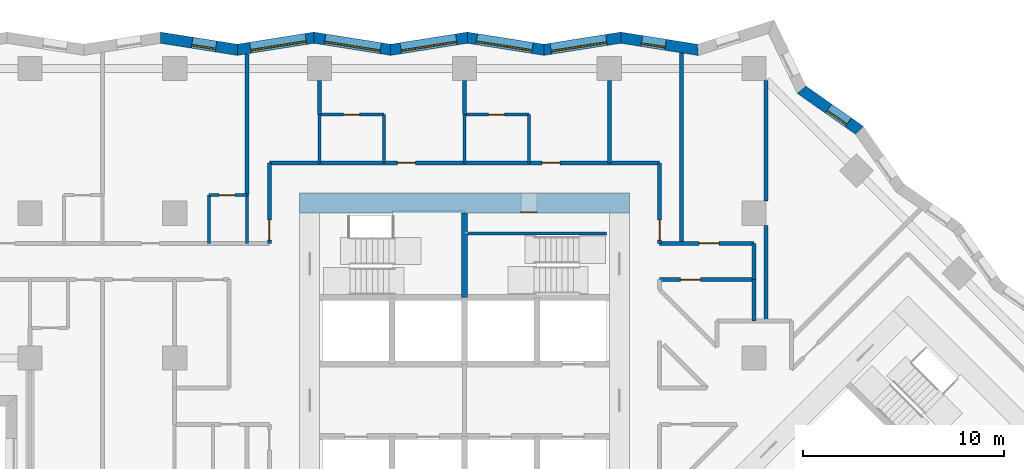
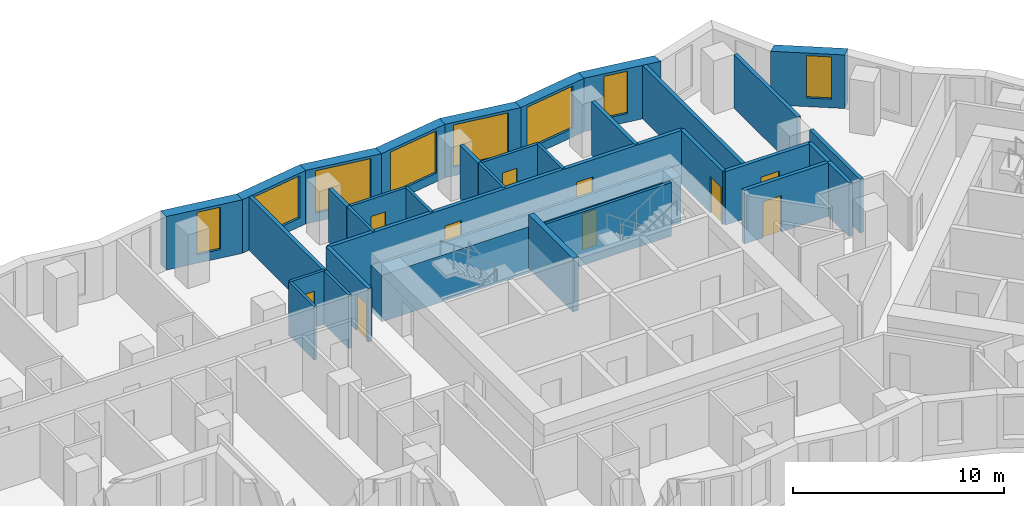
# One storey, part 6 of 12: 34 walls, 10 doors, 8 windows, 18 openings.
"""IFC4 building model written with IfcOpenShell, lengths in metres."""

import ifcopenshell
import ifcopenshell.guid

model = None  # the IFC model being written
_history = None  # IfcOwnerHistory: only IFC2X3 demands one
_inside = {}  # id of a spatial element -> (the spatial element, [elements in it])
_under = {}  # id of a project, library or spatial element -> (it, [spatial elements below it])
_declared = {}  # id of a project -> (the project, [libraries it declares])
_typed = {}  # id of a type object -> (the type object, [elements of that type])
_made_of = {}  # id of a material, layer set ... -> (it, [elements and type objects made of it])


def new_model(schema):
    """Start an empty IFC model of exactly this schema.

    Asked for "IFC4X3", IfcOpenShell would pick the latest addendum, in which some entities
    have other attributes; the version numbers below select the first issue.
    IFC2X3 requires an IfcOwnerHistory on every rooted entity: one is made here for all.
    """
    global model, _history
    if schema == "IFC4X3":
        model = ifcopenshell.file(schema_version=(4, 3, 0, 0))
    else:
        model = ifcopenshell.file(schema=schema)
    _inside.clear()
    _under.clear()
    _declared.clear()
    _typed.clear()
    _made_of.clear()
    _history = None
    if model.schema == "IFC2X3":
        org = make("IfcOrganization", Name="unknown")
        user = make(
            "IfcPersonAndOrganization",
            ThePerson=make("IfcPerson", FamilyName="unknown"),
            TheOrganization=org,
        )
        app = make(
            "IfcApplication",
            ApplicationDeveloper=org,
            Version="unknown",
            ApplicationFullName="unknown",
            ApplicationIdentifier="unknown",
        )
        _history = make(
            "IfcOwnerHistory",
            OwningUser=user,
            OwningApplication=app,
            ChangeAction="ADDED",
            CreationDate=0,
        )
    return model


def make(cls, **values):
    """One entity of the class cls with the attributes given. An attribute that is None is left unset."""
    return model.create_entity(
        cls, **{name: value for name, value in values.items() if value is not None}
    )


def rooted(cls, **values):
    """An entity with a GlobalId (a new one), such as an element, a storey or a relation."""
    return make(cls, GlobalId=ifcopenshell.guid.new(), OwnerHistory=_history, **values)


def si_unit(unit_type, name, prefix=None):
    """IfcSIUnit, for example si_unit("LENGTHUNIT", "METRE", prefix="MILLI")."""
    return make("IfcSIUnit", UnitType=unit_type, Prefix=prefix, Name=name)


def assignment(units):
    """IfcUnitAssignment: the units of a project."""
    return None if units is None else make("IfcUnitAssignment", Units=units)


def point(xyz):
    """IfcCartesianPoint."""
    return None if xyz is None else make("IfcCartesianPoint", Coordinates=xyz)


def direction(xyz):
    """IfcDirection."""
    return None if xyz is None else make("IfcDirection", DirectionRatios=xyz)


def frame(location, z_axis=None, x_axis=None):
    """IfcAxis2Placement3D, a coordinate frame: its origin and axes. An axis left out is left unset."""
    return make(
        "IfcAxis2Placement3D",
        Location=point(location),
        Axis=direction(z_axis),
        RefDirection=direction(x_axis),
    )


def frame_2d(location, x_axis=None):
    """IfcAxis2Placement2D, a coordinate frame in the plane: its origin and x axis."""
    return make(
        "IfcAxis2Placement2D", Location=point(location), RefDirection=direction(x_axis)
    )


def origin():
    """The frame at (0, 0, 0) with its axes left unset."""
    return frame((0.0, 0.0, 0.0))


def place(relative_to, where):
    """IfcLocalPlacement: puts the frame where relative to a parent placement (None: the world)."""
    return make(
        "IfcLocalPlacement", PlacementRelTo=relative_to, RelativePlacement=where
    )


def context(
    kind, dimensions, precision=None, world=None, true_north=None, identifier=None
):
    """IfcGeometricRepresentationContext, for example the 3D "Model" context."""
    return make(
        "IfcGeometricRepresentationContext",
        ContextIdentifier=identifier,
        ContextType=kind,
        CoordinateSpaceDimension=dimensions,
        Precision=precision,
        WorldCoordinateSystem=world,
        TrueNorth=true_north,
    )


def subcontext(parent, identifier, kind, view, scale=None):
    """IfcGeometricRepresentationSubContext, for example "Body" below "Model"."""
    return make(
        "IfcGeometricRepresentationSubContext",
        ContextIdentifier=identifier,
        ContextType=kind,
        ParentContext=parent,
        TargetScale=scale,
        TargetView=view,
    )


def project(units=None, contexts=None):
    """IfcProject with its units and contexts."""
    return rooted(
        "IfcProject",
        Name="project",
        RepresentationContexts=contexts,
        UnitsInContext=assignment(units),
    )


def spatial(cls, under=None, at=None, **own):
    """A site, building, storey or space (cls), placed at a placement, below another one or the project."""
    s = rooted(cls, ObjectPlacement=at, **own)
    if under is not None:
        _under.setdefault(under.id(), (under, []))[1].append(s)
    return s


def polyline(points):
    """IfcPolyline through the points."""
    return make("IfcPolyline", Points=[point(p) for p in points])


def profile(cls, at=None, kind="AREA", **sizes):
    """A parametric profile (cls). Its sizes go by their IFC names, for example OverallWidth=200.0."""
    return make(cls, ProfileType=kind, Position=at, **sizes)


def rectangle(**sizes):
    """IfcRectangleProfileDef."""
    return profile("IfcRectangleProfileDef", **sizes)


def outline(outer, holes=None, kind="AREA"):
    """IfcArbitraryClosedProfileDef: a profile drawn as a closed curve; with holes, ...WithVoids."""
    if holes is None:
        return make("IfcArbitraryClosedProfileDef", ProfileType=kind, OuterCurve=outer)
    return make(
        "IfcArbitraryProfileDefWithVoids",
        ProfileType=kind,
        OuterCurve=outer,
        InnerCurves=holes,
    )


def extrude(swept, where, along, depth):
    """IfcExtrudedAreaSolid: the profile swept, set in the frame where, extruded along a direction by depth."""
    return make(
        "IfcExtrudedAreaSolid",
        SweptArea=swept,
        Position=where,
        ExtrudedDirection=direction(along),
        Depth=depth,
    )


def shape(context_of_items, identifier, shape_type, items):
    """IfcShapeRepresentation: the items that make up one representation, for example the "Body"."""
    return make(
        "IfcShapeRepresentation",
        ContextOfItems=context_of_items,
        RepresentationIdentifier=identifier,
        RepresentationType=shape_type,
        Items=items,
    )


def material(Name=None, Category=None):
    """IfcMaterial."""
    return make("IfcMaterial", Name=Name, Category=Category)


def layer(
    of_material, thickness, ventilated=None, Name=None, Category=None, Priority=None
):
    """IfcMaterialLayer: one layer of a wall or slab, of a material (None: an air gap)."""
    return make(
        "IfcMaterialLayer",
        Material=of_material,
        LayerThickness=thickness,
        IsVentilated=ventilated,
        Name=Name,
        Category=Category,
        Priority=Priority,
    )


def layer_set(layers, Name=None):
    """IfcMaterialLayerSet."""
    return make("IfcMaterialLayerSet", MaterialLayers=layers, LayerSetName=Name)


def made_of(thing, what):
    """Note that an element or type object is made of a material, layer set ...; save() writes the relation."""
    if what is not None:
        _made_of.setdefault(what.id(), (what, []))[1].append(thing)
    return thing


def type_object(cls, material=None, **own):
    """A type object (cls), such as IfcWallType, which elements share."""
    return made_of(rooted(cls, **own), material)


def element(
    cls,
    number,
    at=None,
    inside=None,
    cuts=None,
    type_object=None,
    material=None,
    context=None,
    identifier="Body",
    shape_type=None,
    held_by="IfcProductDefinitionShape",
    body=None,
    shapes=None,
    **own,
):
    """One element of the class cls, such as IfcWall. Its Tag is "e" and its number.

    at: its placement. inside: the storey or other place that contains it. cuts: it is an
    opening in that element (IfcRelVoidsElement). A single representation is given by context,
    identifier, shape_type and body (its items); several are given by shapes. held_by: the class
    of the entity that holds the representations. save() writes the other relations.
    """
    e = rooted(cls, Tag="e%d" % number, ObjectPlacement=at, **own)
    if body is not None:
        shapes = [shape(context, identifier, shape_type, body)]
    if shapes is not None:
        e.Representation = make(held_by, Representations=shapes)
    if inside is not None:
        _inside.setdefault(inside.id(), (inside, []))[1].append(e)
    if cuts is not None:
        rooted(
            "IfcRelVoidsElement", RelatingBuildingElement=cuts, RelatedOpeningElement=e
        )
    if type_object is not None:
        _typed.setdefault(type_object.id(), (type_object, []))[1].append(e)
    return made_of(e, material)


def fill(opening, filler):
    """IfcRelFillsElement: the door or window that sits in an opening."""
    return rooted(
        "IfcRelFillsElement",
        RelatingOpeningElement=opening,
        RelatedBuildingElement=filler,
    )


def aggregate(whole, parts):
    """IfcRelAggregates: a whole, such as a stair, and the parts it consists of."""
    return rooted("IfcRelAggregates", RelatingObject=whole, RelatedObjects=parts)


def save(model, path):
    """Write the relations noted so far, then the file.

    IfcRelAggregates (storeys below a building ...), IfcRelContainedInSpatialStructure (elements
    in a storey), IfcRelDefinesByType, IfcRelAssociatesMaterial and IfcRelDeclares: one each for
    every whole, place, type object, material and project.
    """
    for whole, parts in _under.values():
        aggregate(whole, parts)
    for where, things in _inside.values():
        rooted(
            "IfcRelContainedInSpatialStructure",
            RelatedElements=things,
            RelatingStructure=where,
        )
    for kind, things in _typed.values():
        rooted("IfcRelDefinesByType", RelatedObjects=things, RelatingType=kind)
    for what, things in _made_of.values():
        rooted("IfcRelAssociatesMaterial", RelatedObjects=things, RelatingMaterial=what)
    for by, libraries in _declared.values():
        rooted("IfcRelDeclares", RelatingContext=by, RelatedDefinitions=libraries)
    model.write(path)


model = new_model("IFC4")

# Units and contexts
model_context = context("Model", 3, precision=1e-05, world=origin(), true_north=direction((0.0, 1.0)))
body_context = subcontext(model_context, "Body", "Model", "MODEL_VIEW")
ifc_project = project(units=[si_unit("LENGTHUNIT", "METRE"), si_unit("AREAUNIT", "SQUARE_METRE"), si_unit("VOLUMEUNIT", "CUBIC_METRE"), si_unit("PLANEANGLEUNIT", "RADIAN"), si_unit("MASSUNIT", "GRAM", prefix="KILO")], contexts=[model_context])

# Site, building, storey
site_placement = place(None, origin())
site = spatial("IfcSite", under=ifc_project, at=site_placement, CompositionType="ELEMENT")
building_placement = place(site_placement, origin())
building = spatial("IfcBuilding", under=site, at=building_placement, Name="Windrow Commons", CompositionType="ELEMENT")
storey_placement = place(building_placement, frame((0.0, 0.0, 61.0)))
storey = spatial("IfcBuildingStorey", under=building, at=storey_placement, Name="L16", CompositionType="ELEMENT", Elevation=61.0)

# Wall, opening, window
ifc_material_1 = material(Name="Brick masonry, red clay brick", Category="masonry")
ifc_layer_1 = layer(ifc_material_1, 0.55)
ifc_layer_set_1 = layer_set([ifc_layer_1], Name="Brick facade wall 550")
wall_type_1 = type_object("IfcWallType", Name="Brick facade wall 550", PredefinedType="SOLIDWALL", material=ifc_layer_set_1)
wall_1_placement = place(storey_placement, frame((84.4347, 68.9204, 0.0), z_axis=(0.0, 0.0, 1.0), x_axis=(-0.8186658628, 0.5742701499, 0.0)))
wall_1 = element("IfcWall", 1, at=wall_1_placement, inside=storey, type_object=wall_type_1, Name="Brick facade wall L16 21", PredefinedType="SOLIDWALL", context=body_context, shape_type="SweptSolid", body=[
    extrude(outline(polyline([(-0.0482, -0.275), (3.4415, -0.275), (3.5849, 0.275), (0.0482, 0.275), (-0.0482, -0.275)])), origin(), (0.0, 0.0, 1.0), 3.1),
])
opening_1_placement = place(wall_1_placement, frame((0.6811, 0.0, 0.5)))
opening_1 = element("IfcOpeningElement", 2, at=opening_1_placement, cuts=wall_1, Name="Opening W7D", PredefinedType="OPENING", context=body_context, shape_type="SweptSolid", body=[
    extrude(rectangle(XDim=1.2, YDim=2.45, at=frame_2d((0.6, 1.225))), frame((0.0, 0.285, 0.0), z_axis=(0.0, -1.0, 0.0), x_axis=(1.0, 0.0, 0.0)), (0.0, 0.0, 1.0), 0.57),
])
ifc_material_2 = material(Name="Clear float glass in anodised aluminium frame", Category="aluminium")
window_type_1 = type_object("IfcWindowType", Name="Window W7 notch 1200x2450", PartitioningType="SINGLE_PANEL", PredefinedType="WINDOW", material=ifc_material_2)
window_1_placement = place(opening_1_placement, origin())
window_1 = element("IfcWindow", 3, at=window_1_placement, inside=storey, type_object=window_type_1, Name="Window L16 21.1", OverallHeight=2.45, OverallWidth=1.2, PartitioningType="SINGLE_PANEL", PredefinedType="WINDOW", context=body_context, shape_type="SweptSolid", body=[
    extrude(rectangle(XDim=1.2, YDim=2.45, at=frame_2d((0.6, 1.225))), frame((0.0, 0.155, 0.0), z_axis=(0.0, -1.0, 0.0), x_axis=(1.0, 0.0, 0.0)), (0.0, 0.0, 1.0), 0.06),
])
fill(opening_1, window_1)

wall_2_placement = place(storey_placement, frame((76.404, 72.9183, 0.0), z_axis=(0.0, 0.0, 1.0), x_axis=(-0.9877221932, 0.1562205785, 0.0)))
wall_2 = element("IfcWall", 4, at=wall_2_placement, inside=storey, type_object=wall_type_1, Name="Brick facade wall L16 24", PredefinedType="SOLIDWALL", context=body_context, shape_type="SweptSolid", body=[
    extrude(outline(polyline([(0.0648, -0.275), (3.9245, -0.275), (3.8376, 0.275), (-0.0648, 0.275), (0.0648, -0.275)])), origin(), (0.0, 0.0, 1.0), 3.1),
])
opening_2_placement = place(wall_2_placement, frame((1.6258, 0.0, 0.5)))
opening_2 = element("IfcOpeningElement", 5, at=opening_2_placement, cuts=wall_2, Name="Opening W7D", PredefinedType="OPENING", context=body_context, shape_type="SweptSolid", body=[
    extrude(rectangle(XDim=1.2, YDim=2.45, at=frame_2d((0.6, 1.225))), frame((0.0, 0.285, 0.0), z_axis=(0.0, -1.0, 0.0), x_axis=(1.0, 0.0, 0.0)), (0.0, 0.0, 1.0), 0.57),
])
window_2_placement = place(opening_2_placement, origin())
window_2 = element("IfcWindow", 6, at=window_2_placement, inside=storey, type_object=window_type_1, Name="Window L16 24.1", OverallHeight=2.45, OverallWidth=1.2, PartitioningType="SINGLE_PANEL", PredefinedType="WINDOW", context=body_context, shape_type="SweptSolid", body=[
    extrude(rectangle(XDim=1.2, YDim=2.45, at=frame_2d((0.6, 1.225))), frame((0.0, 0.155, 0.0), z_axis=(0.0, -1.0, 0.0), x_axis=(1.0, 0.0, 0.0)), (0.0, 0.0, 1.0), 0.06),
])
fill(opening_2, window_2)

wall_3_placement = place(storey_placement, frame((72.5706, 73.5246, 0.0), z_axis=(0.0, 0.0, 1.0), x_axis=(-0.9877213372, -0.1562259905, 0.0)))
wall_3 = element("IfcWall", 7, at=wall_3_placement, inside=storey, type_object=wall_type_1, Name="Brick facade wall L16 25", PredefinedType="SOLIDWALL", context=body_context, shape_type="SweptSolid", body=[
    extrude(outline(polyline([(-0.0435, -0.275), (3.8163, -0.275), (3.9033, 0.275), (0.0435, 0.275), (-0.0435, -0.275)])), origin(), (0.0, 0.0, 1.0), 3.1),
])
opening_3_placement = place(wall_3_placement, frame((0.7187, 0.0, 0.5)))
opening_3 = element("IfcOpeningElement", 8, at=opening_3_placement, cuts=wall_3, Name="Opening W1T", PredefinedType="OPENING", context=body_context, shape_type="SweptSolid", body=[
    extrude(rectangle(XDim=2.8, YDim=2.45, at=frame_2d((1.4, 1.225))), frame((0.0, 0.285, 0.0), z_axis=(0.0, -1.0, 0.0), x_axis=(1.0, 0.0, 0.0)), (0.0, 0.0, 1.0), 0.57),
])
ifc_material_3 = material(Name="Clear float glass in anodised aluminium frame", Category="aluminium")
window_type_2 = type_object("IfcWindowType", Name="Window W1T bedroom 2800x2450", PartitioningType="SINGLE_PANEL", PredefinedType="WINDOW", material=ifc_material_3)
window_3_placement = place(opening_3_placement, origin())
window_3 = element("IfcWindow", 9, at=window_3_placement, inside=storey, type_object=window_type_2, Name="Window L16 25.1", OverallHeight=2.45, OverallWidth=2.8, PartitioningType="SINGLE_PANEL", PredefinedType="WINDOW", context=body_context, shape_type="SweptSolid", body=[
    extrude(rectangle(XDim=2.8, YDim=2.45, at=frame_2d((1.4, 1.225))), frame((0.0, 0.155, 0.0), z_axis=(0.0, -1.0, 0.0), x_axis=(1.0, 0.0, 0.0)), (0.0, 0.0, 1.0), 0.06),
])
fill(opening_3, window_3)

wall_4_placement = place(storey_placement, frame((68.7582, 72.9216, 0.0), z_axis=(0.0, 0.0, 1.0), x_axis=(-0.9877213372, 0.1562259905, 0.0)))
wall_4 = element("IfcWall", 10, at=wall_4_placement, inside=storey, type_object=wall_type_1, Name="Brick facade wall L16 26", PredefinedType="SOLIDWALL", context=body_context, shape_type="SweptSolid", body=[
    extrude(outline(polyline([(0.0435, -0.275), (3.9033, -0.275), (3.8163, 0.275), (-0.0435, 0.275), (0.0435, -0.275)])), origin(), (0.0, 0.0, 1.0), 3.1),
])
opening_4_placement = place(wall_4_placement, frame((0.5895, 0.0, 0.5)))
opening_4 = element("IfcOpeningElement", 11, at=opening_4_placement, cuts=wall_4, Name="Opening W1T", PredefinedType="OPENING", context=body_context, shape_type="SweptSolid", body=[
    extrude(rectangle(XDim=2.8, YDim=2.45, at=frame_2d((1.4, 1.225))), frame((0.0, 0.285, 0.0), z_axis=(0.0, -1.0, 0.0), x_axis=(1.0, 0.0, 0.0)), (0.0, 0.0, 1.0), 0.57),
])
window_4_placement = place(opening_4_placement, origin())
window_4 = element("IfcWindow", 12, at=window_4_placement, inside=storey, type_object=window_type_2, Name="Window L16 26.1", OverallHeight=2.45, OverallWidth=2.8, PartitioningType="SINGLE_PANEL", PredefinedType="WINDOW", context=body_context, shape_type="SweptSolid", body=[
    extrude(rectangle(XDim=2.8, YDim=2.45, at=frame_2d((1.4, 1.225))), frame((0.0, 0.155, 0.0), z_axis=(0.0, -1.0, 0.0), x_axis=(1.0, 0.0, 0.0)), (0.0, 0.0, 1.0), 0.06),
])
fill(opening_4, window_4)

wall_5_placement = place(storey_placement, frame((64.9458, 73.5246, 0.0), z_axis=(0.0, 0.0, 1.0), x_axis=(-0.9877213372, -0.1562259905, 0.0)))
wall_5 = element("IfcWall", 13, at=wall_5_placement, inside=storey, type_object=wall_type_1, Name="Brick facade wall L16 27", PredefinedType="SOLIDWALL", context=body_context, shape_type="SweptSolid", body=[
    extrude(outline(polyline([(-0.0435, -0.275), (3.8163, -0.275), (3.9033, 0.275), (0.0435, 0.275), (-0.0435, -0.275)])), origin(), (0.0, 0.0, 1.0), 3.1),
])
opening_5_placement = place(wall_5_placement, frame((0.5516, 0.0, 0.5)))
opening_5 = element("IfcOpeningElement", 14, at=opening_5_placement, cuts=wall_5, Name="Opening W1T", PredefinedType="OPENING", context=body_context, shape_type="SweptSolid", body=[
    extrude(rectangle(XDim=2.8, YDim=2.45, at=frame_2d((1.4, 1.225))), frame((0.0, 0.285, 0.0), z_axis=(0.0, -1.0, 0.0), x_axis=(1.0, 0.0, 0.0)), (0.0, 0.0, 1.0), 0.57),
])
window_5_placement = place(opening_5_placement, origin())
window_5 = element("IfcWindow", 15, at=window_5_placement, inside=storey, type_object=window_type_2, Name="Window L16 27.1", OverallHeight=2.45, OverallWidth=2.8, PartitioningType="SINGLE_PANEL", PredefinedType="WINDOW", context=body_context, shape_type="SweptSolid", body=[
    extrude(rectangle(XDim=2.8, YDim=2.45, at=frame_2d((1.4, 1.225))), frame((0.0, 0.155, 0.0), z_axis=(0.0, -1.0, 0.0), x_axis=(1.0, 0.0, 0.0)), (0.0, 0.0, 1.0), 0.06),
])
fill(opening_5, window_5)

wall_6_placement = place(storey_placement, frame((61.1334, 72.9216, 0.0), z_axis=(0.0, 0.0, 1.0), x_axis=(-0.9877213372, 0.1562259905, 0.0)))
wall_6 = element("IfcWall", 16, at=wall_6_placement, inside=storey, type_object=wall_type_1, Name="Brick facade wall L16 28", PredefinedType="SOLIDWALL", context=body_context, shape_type="SweptSolid", body=[
    extrude(outline(polyline([(0.0435, -0.275), (3.9033, -0.275), (3.8163, 0.275), (-0.0435, 0.275), (0.0435, -0.275)])), origin(), (0.0, 0.0, 1.0), 3.1),
])
opening_6_placement = place(wall_6_placement, frame((0.5081, 0.0, 0.5)))
opening_6 = element("IfcOpeningElement", 17, at=opening_6_placement, cuts=wall_6, Name="Opening W1T", PredefinedType="OPENING", context=body_context, shape_type="SweptSolid", body=[
    extrude(rectangle(XDim=2.8, YDim=2.45, at=frame_2d((1.4, 1.225))), frame((0.0, 0.285, 0.0), z_axis=(0.0, -1.0, 0.0), x_axis=(1.0, 0.0, 0.0)), (0.0, 0.0, 1.0), 0.57),
])
window_6_placement = place(opening_6_placement, origin())
window_6 = element("IfcWindow", 18, at=window_6_placement, inside=storey, type_object=window_type_2, Name="Window L16 28.1", OverallHeight=2.45, OverallWidth=2.8, PartitioningType="SINGLE_PANEL", PredefinedType="WINDOW", context=body_context, shape_type="SweptSolid", body=[
    extrude(rectangle(XDim=2.8, YDim=2.45, at=frame_2d((1.4, 1.225))), frame((0.0, 0.155, 0.0), z_axis=(0.0, -1.0, 0.0), x_axis=(1.0, 0.0, 0.0)), (0.0, 0.0, 1.0), 0.06),
])
fill(opening_6, window_6)

wall_7_placement = place(storey_placement, frame((57.321, 73.5246, 0.0), z_axis=(0.0, 0.0, 1.0), x_axis=(-0.9877213372, -0.1562259905, 0.0)))
wall_7 = element("IfcWall", 19, at=wall_7_placement, inside=storey, type_object=wall_type_1, Name="Brick facade wall L16 29", PredefinedType="SOLIDWALL", context=body_context, shape_type="SweptSolid", body=[
    extrude(outline(polyline([(-0.0435, -0.275), (3.8163, -0.275), (3.9033, 0.275), (0.0435, 0.275), (-0.0435, -0.275)])), origin(), (0.0, 0.0, 1.0), 3.1),
])
opening_7_placement = place(wall_7_placement, frame((0.4029, 0.0, 0.5)))
opening_7 = element("IfcOpeningElement", 20, at=opening_7_placement, cuts=wall_7, Name="Opening W1T", PredefinedType="OPENING", context=body_context, shape_type="SweptSolid", body=[
    extrude(rectangle(XDim=2.8, YDim=2.45, at=frame_2d((1.4, 1.225))), frame((0.0, 0.285, 0.0), z_axis=(0.0, -1.0, 0.0), x_axis=(1.0, 0.0, 0.0)), (0.0, 0.0, 1.0), 0.57),
])
window_7_placement = place(opening_7_placement, origin())
window_7 = element("IfcWindow", 21, at=window_7_placement, inside=storey, type_object=window_type_2, Name="Window L16 29.1", OverallHeight=2.45, OverallWidth=2.8, PartitioningType="SINGLE_PANEL", PredefinedType="WINDOW", context=body_context, shape_type="SweptSolid", body=[
    extrude(rectangle(XDim=2.8, YDim=2.45, at=frame_2d((1.4, 1.225))), frame((0.0, 0.155, 0.0), z_axis=(0.0, -1.0, 0.0), x_axis=(1.0, 0.0, 0.0)), (0.0, 0.0, 1.0), 0.06),
])
fill(opening_7, window_7)

wall_8_placement = place(storey_placement, frame((53.5086, 72.9216, 0.0), z_axis=(0.0, 0.0, 1.0), x_axis=(-0.9877213372, 0.1562259905, 0.0)))
wall_8 = element("IfcWall", 22, at=wall_8_placement, inside=storey, type_object=wall_type_1, Name="Brick facade wall L16 30", PredefinedType="SOLIDWALL", context=body_context, shape_type="SweptSolid", body=[
    extrude(outline(polyline([(0.0435, -0.275), (3.9033, -0.275), (3.8163, 0.275), (-0.0435, 0.275), (0.0435, -0.275)])), origin(), (0.0, 0.0, 1.0), 3.1),
])
opening_8_placement = place(wall_8_placement, frame((1.0736, 0.0, 0.5)))
opening_8 = element("IfcOpeningElement", 23, at=opening_8_placement, cuts=wall_8, Name="Opening W7D", PredefinedType="OPENING", context=body_context, shape_type="SweptSolid", body=[
    extrude(rectangle(XDim=1.2, YDim=2.45, at=frame_2d((0.6, 1.225))), frame((0.0, 0.285, 0.0), z_axis=(0.0, -1.0, 0.0), x_axis=(1.0, 0.0, 0.0)), (0.0, 0.0, 1.0), 0.57),
])
window_8_placement = place(opening_8_placement, origin())
window_8 = element("IfcWindow", 24, at=window_8_placement, inside=storey, type_object=window_type_1, Name="Window L16 30.1", OverallHeight=2.45, OverallWidth=1.2, PartitioningType="SINGLE_PANEL", PredefinedType="WINDOW", context=body_context, shape_type="SweptSolid", body=[
    extrude(rectangle(XDim=1.2, YDim=2.45, at=frame_2d((0.6, 1.225))), frame((0.0, 0.155, 0.0), z_axis=(0.0, -1.0, 0.0), x_axis=(1.0, 0.0, 0.0)), (0.0, 0.0, 1.0), 0.06),
])
fill(opening_8, window_8)

# Wall, openings, doors
ifc_material_4 = material(Name="Blockwork partition", Category="masonry")
ifc_layer_2 = layer(ifc_material_4, 0.2)
ifc_layer_set_2 = layer_set([ifc_layer_2], Name="IW-CORRIDOR-200")
wall_type_2 = type_object("IfcWallType", Name="IW-CORRIDOR-200", PredefinedType="PARTITIONING", material=ifc_layer_set_2)
wall_9_placement = place(storey_placement, frame((55.1, 67.3, 0.0), z_axis=(0.0, 0.0, 1.0), x_axis=(1.0, 0.0, 0.0)))
wall_9 = element("IfcWall", 25, at=wall_9_placement, inside=storey, type_object=wall_type_2, Name="W-L16-W002", PredefinedType="PARTITIONING", context=body_context, shape_type="SweptSolid", body=[
    extrude(rectangle(XDim=19.4, YDim=0.2, at=frame_2d((9.7, 0.0))), origin(), (0.0, 0.0, 1.0), 3.1),
])
opening_9_placement = place(wall_9_placement, frame((6.3607, 0.0, 0.0)))
opening_9 = element("IfcOpeningElement", 26, at=opening_9_placement, cuts=wall_9, Name="Opening D109F", PredefinedType="OPENING", context=body_context, shape_type="SweptSolid", body=[
    extrude(rectangle(XDim=0.9, YDim=2.1, at=frame_2d((0.45, 1.05))), frame((0.0, 0.11, 0.0), z_axis=(0.0, -1.0, 0.0), x_axis=(1.0, 0.0, 0.0)), (0.0, 0.0, 1.0), 0.22),
])
opening_10_placement = place(wall_9_placement, frame((13.5607, 0.0, 0.0)))
opening_10 = element("IfcOpeningElement", 27, at=opening_10_placement, cuts=wall_9, Name="Opening D109F", PredefinedType="OPENING", context=body_context, shape_type="SweptSolid", body=[
    extrude(rectangle(XDim=0.9, YDim=2.1, at=frame_2d((0.45, 1.05))), frame((0.0, 0.11, 0.0), z_axis=(0.0, -1.0, 0.0), x_axis=(1.0, 0.0, 0.0)), (0.0, 0.0, 1.0), 0.22),
])
ifc_material_5 = material(Name="Timber door leaf", Category="wood")
door_type_1 = type_object("IfcDoorType", Name="DT-BEDROOM-900", OperationType="SINGLE_SWING_LEFT", PredefinedType="DOOR", material=ifc_material_5)
door_1_placement = place(opening_9_placement, origin())
door_1 = element("IfcDoor", 28, at=door_1_placement, inside=storey, type_object=door_type_1, Name="D-L16-D025", OperationType="SINGLE_SWING_RIGHT", OverallHeight=2.1, OverallWidth=0.9, PredefinedType="DOOR", context=body_context, shape_type="SweptSolid", body=[
    extrude(rectangle(XDim=0.9, YDim=2.1, at=frame_2d((0.45, 1.05))), frame((0.0, 0.025, 0.0), z_axis=(0.0, -1.0, 0.0), x_axis=(1.0, 0.0, 0.0)), (0.0, 0.0, 1.0), 0.05),
])
fill(opening_9, door_1)
door_2_placement = place(opening_10_placement, origin())
door_2 = element("IfcDoor", 29, at=door_2_placement, inside=storey, type_object=door_type_1, Name="D-L16-D027", OperationType="SINGLE_SWING_RIGHT", OverallHeight=2.1, OverallWidth=0.9, PredefinedType="DOOR", context=body_context, shape_type="SweptSolid", body=[
    extrude(rectangle(XDim=0.9, YDim=2.1, at=frame_2d((0.45, 1.05))), frame((0.0, 0.025, 0.0), z_axis=(0.0, -1.0, 0.0), x_axis=(1.0, 0.0, 0.0)), (0.0, 0.0, 1.0), 0.05),
])
fill(opening_10, door_2)

# Wall, opening, door
wall_10_placement = place(storey_placement, frame((74.502, 63.3, 0.0), z_axis=(0.0, 0.0, 1.0), x_axis=(1.0, 0.0, 0.0)))
wall_10 = element("IfcWall", 30, at=wall_10_placement, inside=storey, type_object=wall_type_2, Name="W-L16-W041", PredefinedType="PARTITIONING", context=body_context, shape_type="SweptSolid", body=[
    extrude(rectangle(XDim=4.698, YDim=0.2, at=frame_2d((2.349, 0.0))), origin(), (0.0, 0.0, 1.0), 3.1),
])
opening_11_placement = place(wall_10_placement, frame((1.9629, 0.0, 0.0)))
opening_11 = element("IfcOpeningElement", 31, at=opening_11_placement, cuts=wall_10, Name="Opening D310F", PredefinedType="OPENING", context=body_context, shape_type="SweptSolid", body=[
    extrude(rectangle(XDim=1.0, YDim=2.1, at=frame_2d((0.5, 1.05))), frame((0.0, 0.11, 0.0), z_axis=(0.0, -1.0, 0.0), x_axis=(1.0, 0.0, 0.0)), (0.0, 0.0, 1.0), 0.22),
])
ifc_material_6 = material(Name="Timber door leaf", Category="wood")
door_type_2 = type_object("IfcDoorType", Name="DT-AMENITY-1000", OperationType="SINGLE_SWING_LEFT", PredefinedType="DOOR", material=ifc_material_6)
door_3_placement = place(opening_11_placement, origin())
door_3 = element("IfcDoor", 32, at=door_3_placement, inside=storey, type_object=door_type_2, Name="D-L16-D034", OperationType="SINGLE_SWING_LEFT", OverallHeight=2.1, OverallWidth=1.0, PredefinedType="DOOR", context=body_context, shape_type="SweptSolid", body=[
    extrude(rectangle(XDim=1.0, YDim=2.1, at=frame_2d((0.5, 1.05))), frame((0.0, 0.025, 0.0), z_axis=(0.0, -1.0, 0.0), x_axis=(1.0, 0.0, 0.0)), (0.0, 0.0, 1.0), 0.05),
])
fill(opening_11, door_3)

wall_11_placement = place(storey_placement, frame((74.502, 61.5, 0.0), z_axis=(0.0, 0.0, 1.0), x_axis=(1.0, 0.0, 0.0)))
wall_11 = element("IfcWall", 33, at=wall_11_placement, inside=storey, type_object=wall_type_2, Name="W-L16-W042", PredefinedType="PARTITIONING", context=body_context, shape_type="SweptSolid", body=[
    extrude(rectangle(XDim=4.698, YDim=0.2, at=frame_2d((2.349, 0.0))), origin(), (0.0, 0.0, 1.0), 3.1),
])
opening_12_placement = place(wall_11_placement, frame((1.0335, 0.0, 0.0)))
opening_12 = element("IfcOpeningElement", 34, at=opening_12_placement, cuts=wall_11, Name="Opening D410F", PredefinedType="OPENING", context=body_context, shape_type="SweptSolid", body=[
    extrude(rectangle(XDim=1.0, YDim=2.1, at=frame_2d((0.5, 1.05))), frame((0.0, 0.11, 0.0), z_axis=(0.0, -1.0, 0.0), x_axis=(1.0, 0.0, 0.0)), (0.0, 0.0, 1.0), 0.22),
])
ifc_material_7 = material(Name="Timber door leaf", Category="wood")
door_type_3 = type_object("IfcDoorType", Name="DT-SERVICE-1000", OperationType="SINGLE_SWING_LEFT", PredefinedType="DOOR", material=ifc_material_7)
door_4_placement = place(opening_12_placement, origin())
door_4 = element("IfcDoor", 35, at=door_4_placement, inside=storey, type_object=door_type_3, Name="D-L16-D035", OperationType="SINGLE_SWING_RIGHT", OverallHeight=2.1, OverallWidth=1.0, PredefinedType="DOOR", context=body_context, shape_type="SweptSolid", body=[
    extrude(rectangle(XDim=1.0, YDim=2.1, at=frame_2d((0.5, 1.05))), frame((0.0, 0.025, 0.0), z_axis=(0.0, -1.0, 0.0), x_axis=(1.0, 0.0, 0.0)), (0.0, 0.0, 1.0), 0.05),
])
fill(opening_12, door_4)

wall_12_placement = place(storey_placement, frame((55.1, 63.302, 0.0), z_axis=(0.0, 0.0, 1.0), x_axis=(0.0, 1.0, 0.0)))
wall_12 = element("IfcWall", 36, at=wall_12_placement, inside=storey, type_object=wall_type_2, Name="W-L16-W049", PredefinedType="PARTITIONING", context=body_context, shape_type="SweptSolid", body=[
    extrude(rectangle(XDim=3.998, YDim=0.2, at=frame_2d((1.999, 0.0))), origin(), (0.0, 0.0, 1.0), 3.1),
])
opening_13_placement = place(wall_12_placement, frame((0.1545, 0.0, 0.0)))
opening_13 = element("IfcOpeningElement", 37, at=opening_13_placement, cuts=wall_12, Name="Opening D310F", PredefinedType="OPENING", context=body_context, shape_type="SweptSolid", body=[
    extrude(rectangle(XDim=1.0, YDim=2.1, at=frame_2d((0.5, 1.05))), frame((0.0, 0.11, 0.0), z_axis=(0.0, -1.0, 0.0), x_axis=(1.0, 0.0, 0.0)), (0.0, 0.0, 1.0), 0.22),
])
door_5_placement = place(opening_13_placement, origin())
door_5 = element("IfcDoor", 38, at=door_5_placement, inside=storey, type_object=door_type_2, Name="D-L16-D015", OperationType="SINGLE_SWING_LEFT", OverallHeight=2.1, OverallWidth=1.0, PredefinedType="DOOR", context=body_context, shape_type="SweptSolid", body=[
    extrude(rectangle(XDim=1.0, YDim=2.1, at=frame_2d((0.5, 1.05))), frame((0.0, 0.025, 0.0), z_axis=(0.0, -1.0, 0.0), x_axis=(1.0, 0.0, 0.0)), (0.0, 0.0, 1.0), 0.05),
])
fill(opening_13, door_5)

wall_13_placement = place(storey_placement, frame((74.5, 63.302, 0.0), z_axis=(0.0, 0.0, 1.0), x_axis=(0.0, 1.0, 0.0)))
wall_13 = element("IfcWall", 39, at=wall_13_placement, inside=storey, type_object=wall_type_2, Name="W-L16-W050", PredefinedType="PARTITIONING", context=body_context, shape_type="SweptSolid", body=[
    extrude(rectangle(XDim=3.998, YDim=0.2, at=frame_2d((1.999, 0.0))), origin(), (0.0, 0.0, 1.0), 3.1),
])
opening_14_placement = place(wall_13_placement, frame((0.1545, 0.0, 0.0)))
opening_14 = element("IfcOpeningElement", 40, at=opening_14_placement, cuts=wall_13, Name="Opening D310F", PredefinedType="OPENING", context=body_context, shape_type="SweptSolid", body=[
    extrude(rectangle(XDim=1.0, YDim=2.1, at=frame_2d((0.5, 1.05))), frame((0.0, 0.11, 0.0), z_axis=(0.0, -1.0, 0.0), x_axis=(1.0, 0.0, 0.0)), (0.0, 0.0, 1.0), 0.22),
])
door_6_placement = place(opening_14_placement, origin())
door_6 = element("IfcDoor", 41, at=door_6_placement, inside=storey, type_object=door_type_2, Name="D-L16-D016", OperationType="SINGLE_SWING_RIGHT", OverallHeight=2.1, OverallWidth=1.0, PredefinedType="DOOR", context=body_context, shape_type="SweptSolid", body=[
    extrude(rectangle(XDim=1.0, YDim=2.1, at=frame_2d((0.5, 1.05))), frame((0.0, 0.025, 0.0), z_axis=(0.0, -1.0, 0.0), x_axis=(1.0, 0.0, 0.0)), (0.0, 0.0, 1.0), 0.05),
])
fill(opening_14, door_6)

# Wall
wall_14_placement = place(storey_placement, frame((79.2, 61.5, 0.0), z_axis=(0.0, 0.0, 1.0), x_axis=(0.0, 1.0, 0.0)))
element("IfcWall", 42, at=wall_14_placement, inside=storey, type_object=wall_type_2, Name="W-L16-W134", PredefinedType="PARTITIONING", context=body_context, shape_type="SweptSolid", body=[
    extrude(rectangle(XDim=1.8, YDim=0.2, at=frame_2d((0.9, 0.0))), origin(), (0.0, 0.0, 1.0), 3.1),
])

# Wall, opening, door
ifc_material_8 = material(Name="Blockwork partition", Category="masonry")
ifc_layer_3 = layer(ifc_material_8, 0.15)
ifc_layer_set_3 = layer_set([ifc_layer_3], Name="IW-ENSUITE-150")
wall_type_3 = type_object("IfcWallType", Name="IW-ENSUITE-150", PredefinedType="PARTITIONING", material=ifc_layer_set_3)
wall_15_placement = place(storey_placement, frame((64.8, 69.7, 0.0), z_axis=(0.0, 0.0, 1.0), x_axis=(1.0, 0.0, 0.0)))
wall_15 = element("IfcWall", 43, at=wall_15_placement, inside=storey, type_object=wall_type_3, Name="W-L16-W060", PredefinedType="PARTITIONING", context=body_context, shape_type="SweptSolid", body=[
    extrude(rectangle(XDim=3.2, YDim=0.15, at=frame_2d((1.6, 0.0))), origin(), (0.0, 0.0, 1.0), 3.1),
])
opening_15_placement = place(wall_15_placement, frame((1.1958, 0.0, 0.0)))
opening_15 = element("IfcOpeningElement", 44, at=opening_15_placement, cuts=wall_15, Name="Opening D208N", PredefinedType="OPENING", context=body_context, shape_type="SweptSolid", body=[
    extrude(rectangle(XDim=0.8, YDim=2.1, at=frame_2d((0.4, 1.05))), frame((0.0, 0.085, 0.0), z_axis=(0.0, -1.0, 0.0), x_axis=(1.0, 0.0, 0.0)), (0.0, 0.0, 1.0), 0.17),
])
ifc_material_9 = material(Name="Timber door leaf", Category="wood")
door_type_4 = type_object("IfcDoorType", Name="DT-ENSUITE-800", OperationType="SINGLE_SWING_LEFT", PredefinedType="DOOR", material=ifc_material_9)
door_7_placement = place(opening_15_placement, origin())
door_7 = element("IfcDoor", 45, at=door_7_placement, inside=storey, type_object=door_type_4, Name="D-L16-D028", OperationType="SINGLE_SWING_RIGHT", OverallHeight=2.1, OverallWidth=0.8, PredefinedType="DOOR", context=body_context, shape_type="SweptSolid", body=[
    extrude(rectangle(XDim=0.8, YDim=2.1, at=frame_2d((0.4, 1.05))), frame((0.0, 0.025, 0.0), z_axis=(0.0, -1.0, 0.0), x_axis=(1.0, 0.0, 0.0)), (0.0, 0.0, 1.0), 0.05),
])
fill(opening_15, door_7)

wall_16_placement = place(storey_placement, frame((57.6, 69.7, 0.0), z_axis=(0.0, 0.0, 1.0), x_axis=(1.0, 0.0, 0.0)))
wall_16 = element("IfcWall", 46, at=wall_16_placement, inside=storey, type_object=wall_type_3, Name="W-L16-W062", PredefinedType="PARTITIONING", context=body_context, shape_type="SweptSolid", body=[
    extrude(rectangle(XDim=3.2, YDim=0.15, at=frame_2d((1.6, 0.0))), origin(), (0.0, 0.0, 1.0), 3.1),
])
opening_16_placement = place(wall_16_placement, frame((1.1958, 0.0, 0.0)))
opening_16 = element("IfcOpeningElement", 47, at=opening_16_placement, cuts=wall_16, Name="Opening D208N", PredefinedType="OPENING", context=body_context, shape_type="SweptSolid", body=[
    extrude(rectangle(XDim=0.8, YDim=2.1, at=frame_2d((0.4, 1.05))), frame((0.0, 0.085, 0.0), z_axis=(0.0, -1.0, 0.0), x_axis=(1.0, 0.0, 0.0)), (0.0, 0.0, 1.0), 0.17),
])
door_8_placement = place(opening_16_placement, origin())
door_8 = element("IfcDoor", 48, at=door_8_placement, inside=storey, type_object=door_type_4, Name="D-L16-D026", OperationType="SINGLE_SWING_RIGHT", OverallHeight=2.1, OverallWidth=0.8, PredefinedType="DOOR", context=body_context, shape_type="SweptSolid", body=[
    extrude(rectangle(XDim=0.8, YDim=2.1, at=frame_2d((0.4, 1.05))), frame((0.0, 0.025, 0.0), z_axis=(0.0, -1.0, 0.0), x_axis=(1.0, 0.0, 0.0)), (0.0, 0.0, 1.0), 0.05),
])
fill(opening_16, door_8)

# Walls
for number, where, z_axis, x_axis, name in (
    (49, (52.1, 63.3, 0.0), (0.0, 0.0, 1.0), (0.0, 1.0, 0.0), "W-L16-W078"),
    (50, (54.0, 63.3, 0.0), (0.0, 0.0, 1.0), (0.0, 1.0, 0.0), "W-L16-W079"),
    (51, (57.6, 67.3, 0.0), (0.0, 0.0, 1.0), (0.0, 1.0, 0.0), "W-L16-W080"),
    (52, (60.8, 67.3, 0.0), (0.0, 0.0, 1.0), (0.0, 1.0, 0.0), "W-L16-W081"),
    (53, (68.0, 67.3, 0.0), (0.0, 0.0, 1.0), (0.0, 1.0, 0.0), "W-L16-W082"),
    (54, (64.8, 67.3, 0.0), (0.0, 0.0, 1.0), (0.0, 1.0, 0.0), "W-L16-W083"),
):
    element("IfcWall", number, at=place(storey_placement, frame(where, z_axis=z_axis, x_axis=x_axis)), inside=storey, type_object=wall_type_3, Name=name, PredefinedType="PARTITIONING", context=body_context, shape_type="SweptSolid", body=[
        extrude(rectangle(XDim=2.4, YDim=0.15, at=frame_2d((1.2, 0.0))), origin(), (0.0, 0.0, 1.0), 3.1),
    ])

# Wall, opening, door
wall_17_placement = place(storey_placement, frame((52.1, 65.7, 0.0), z_axis=(0.0, 0.0, 1.0), x_axis=(1.0, 0.0, 0.0)))
wall_17 = element("IfcWall", 55, at=wall_17_placement, inside=storey, type_object=wall_type_3, Name="W-L16-W122", PredefinedType="PARTITIONING", context=body_context, shape_type="SweptSolid", body=[
    extrude(rectangle(XDim=1.9, YDim=0.15, at=frame_2d((0.95, 0.0))), origin(), (0.0, 0.0, 1.0), 3.1),
])
opening_17_placement = place(wall_17_placement, frame((0.4931, 0.0, 0.0)))
opening_17 = element("IfcOpeningElement", 56, at=opening_17_placement, cuts=wall_17, Name="Opening D208N", PredefinedType="OPENING", context=body_context, shape_type="SweptSolid", body=[
    extrude(rectangle(XDim=0.8, YDim=2.1, at=frame_2d((0.4, 1.05))), frame((0.0, 0.085, 0.0), z_axis=(0.0, -1.0, 0.0), x_axis=(1.0, 0.0, 0.0)), (0.0, 0.0, 1.0), 0.17),
])
door_9_placement = place(opening_17_placement, origin())
door_9 = element("IfcDoor", 57, at=door_9_placement, inside=storey, type_object=door_type_4, Name="D-L16-D014", OperationType="SINGLE_SWING_RIGHT", OverallHeight=2.1, OverallWidth=0.8, PredefinedType="DOOR", context=body_context, shape_type="SweptSolid", body=[
    extrude(rectangle(XDim=0.8, YDim=2.1, at=frame_2d((0.4, 1.05))), frame((0.0, 0.025, 0.0), z_axis=(0.0, -1.0, 0.0), x_axis=(1.0, 0.0, 0.0)), (0.0, 0.0, 1.0), 0.05),
])
fill(opening_17, door_9)

# Walls
ifc_material_10 = material(Name="Blockwork partition", Category="masonry")
ifc_layer_4 = layer(ifc_material_10, 0.2)
ifc_layer_set_4 = layer_set([ifc_layer_4], Name="IW-PARTY-200")
wall_type_4 = type_object("IfcWallType", Name="IW-PARTY-200", PredefinedType="PARTITIONING", material=ifc_layer_set_4)
wall_18_placement = place(storey_placement, frame((75.6, 63.3, 0.0), z_axis=(0.0, 0.0, 1.0), x_axis=(0.0, 1.0, 0.0)))
element("IfcWall", 58, at=wall_18_placement, inside=storey, type_object=wall_type_4, Name="W-L16-W014", PredefinedType="PARTITIONING", context=body_context, shape_type="SweptSolid", body=[
    extrude(rectangle(XDim=9.467, YDim=0.2, at=frame_2d((4.7335, 0.0))), origin(), (0.0, 0.0, 1.0), 3.1),
])
wall_19_placement = place(storey_placement, frame((54.0, 65.7, 0.0), z_axis=(0.0, 0.0, 1.0), x_axis=(0.0, 1.0, 0.0)))
element("IfcWall", 59, at=wall_19_placement, inside=storey, type_object=wall_type_4, Name="W-L16-W024", PredefinedType="PARTITIONING", context=body_context, shape_type="SweptSolid", body=[
    extrude(rectangle(XDim=7.0209, YDim=0.2, at=frame_2d((3.5105, 0.0))), origin(), (0.0, 0.0, 1.0), 3.1),
])
wall_20_placement = place(storey_placement, frame((79.8, 65.4, 0.0), z_axis=(0.0, 0.0, 1.0), x_axis=(0.0, 1.0, 0.0)))
element("IfcWall", 60, at=wall_20_placement, inside=storey, type_object=wall_type_4, Name="W-L16-W030", PredefinedType="PARTITIONING", context=body_context, shape_type="SweptSolid", body=[
    extrude(rectangle(XDim=6.0, YDim=0.2, at=frame_2d((3.0, 0.0))), origin(), (0.0, 0.0, 1.0), 3.1),
])
wall_21_placement = place(storey_placement, frame((79.8, 59.45, 0.0), z_axis=(0.0, 0.0, 1.0), x_axis=(0.0, 1.0, 0.0)))
element("IfcWall", 61, at=wall_21_placement, inside=storey, type_object=wall_type_4, Name="W-L16-W038", PredefinedType="PARTITIONING", context=body_context, shape_type="SweptSolid", body=[
    extrude(rectangle(XDim=4.75, YDim=0.2, at=frame_2d((2.375, 0.0))), origin(), (0.0, 0.0, 1.0), 3.1),
])
wall_22_placement = place(storey_placement, frame((72.0, 67.3, 0.0), z_axis=(0.0, 0.0, 1.0), x_axis=(0.0, 1.0, 0.0)))
element("IfcWall", 62, at=wall_22_placement, inside=storey, type_object=wall_type_4, Name="W-L16-W046", PredefinedType="PARTITIONING", context=body_context, shape_type="SweptSolid", body=[
    extrude(rectangle(XDim=4.1, YDim=0.2, at=frame_2d((2.05, 0.0))), origin(), (0.0, 0.0, 1.0), 3.1),
])
wall_23_placement = place(storey_placement, frame((79.2, 59.45, 0.0), z_axis=(0.0, 0.0, 1.0), x_axis=(0.0, 1.0, 0.0)))
element("IfcWall", 63, at=wall_23_placement, inside=storey, type_object=wall_type_4, Name="W-L16-W113", PredefinedType="PARTITIONING", context=body_context, shape_type="SweptSolid", body=[
    extrude(rectangle(XDim=2.05, YDim=0.2, at=frame_2d((1.025, 0.0))), origin(), (0.0, 0.0, 1.0), 3.1),
])
for number, where, z_axis, x_axis, name in (
    (64, (57.6, 69.7, 0.0), (0.0, 0.0, 1.0), (0.0, 1.0, 0.0), "W-L16-W137"),
    (65, (64.8, 69.7, 0.0), (0.0, 0.0, 1.0), (0.0, 1.0, 0.0), "W-L16-W139"),
):
    element("IfcWall", number, at=place(storey_placement, frame(where, z_axis=z_axis, x_axis=x_axis)), inside=storey, type_object=wall_type_4, Name=name, PredefinedType="PARTITIONING", context=body_context, shape_type="SweptSolid", body=[
        extrude(rectangle(XDim=1.7, YDim=0.2, at=frame_2d((0.85, 0.0))), origin(), (0.0, 0.0, 1.0), 3.1),
    ])

# Wall, opening, door
ifc_material_11 = material(Name="Concrete C60/75", Category="concrete")
ifc_layer_5 = layer(ifc_material_11, 1.0)
ifc_layer_set_5 = layer_set([ifc_layer_5], Name="RC CORE WALL 1000 C60/75")
wall_type_5 = type_object("IfcWallType", Name="RC CORE WALL 1000 C60/75", PredefinedType="SHEAR", material=ifc_layer_set_5)
wall_24_placement = place(storey_placement, frame((56.6, 65.3, -0.3), z_axis=(0.0, 0.0, 1.0), x_axis=(1.0, 0.0, 0.0)))
wall_24 = element("IfcWall", 66, at=wall_24_placement, inside=storey, type_object=wall_type_5, Name="Core A wall outer-N", PredefinedType="SHEAR", context=body_context, shape_type="SweptSolid", body=[
    extrude(rectangle(XDim=16.4, YDim=1.0, at=frame_2d((8.2, 0.0))), origin(), (0.0, 0.0, 1.0), 2.7),
])
opening_18_placement = place(wall_24_placement, frame((11.0, 0.0, 0.3)))
opening_18 = element("IfcOpeningElement", 67, at=opening_18_placement, cuts=wall_24, Name="Opening D9", PredefinedType="OPENING", context=body_context, shape_type="SweptSolid", body=[
    extrude(rectangle(XDim=0.8, YDim=2.1, at=frame_2d((0.4, 1.05))), frame((0.0, 0.51, 0.0), z_axis=(0.0, -1.0, 0.0), x_axis=(1.0, 0.0, 0.0)), (0.0, 0.0, 1.0), 1.02),
])
ifc_material_12 = material(Name="Steel fire door leaf", Category="steel")
door_type_5 = type_object("IfcDoorType", Name="Riser access door 800", OperationType="SINGLE_SWING_LEFT", PredefinedType="DOOR", material=ifc_material_12)
door_10_placement = place(opening_18_placement, origin())
door_10 = element("IfcDoor", 68, at=door_10_placement, inside=storey, type_object=door_type_5, Name="Riser access door", OperationType="SINGLE_SWING_RIGHT", OverallHeight=2.1, OverallWidth=0.8, PredefinedType="DOOR", context=body_context, shape_type="SweptSolid", body=[
    extrude(rectangle(XDim=0.8, YDim=2.1, at=frame_2d((0.4, 1.05))), frame((0.0, -0.44, 0.0), z_axis=(0.0, -1.0, 0.0), x_axis=(1.0, 0.0, 0.0)), (0.0, 0.0, 1.0), 0.05),
])
fill(opening_18, door_10)

# Walls
ifc_material_13 = material(Name="Concrete C60/75", Category="concrete")
ifc_layer_6 = layer(ifc_material_13, 0.3)
ifc_layer_set_6 = layer_set([ifc_layer_6], Name="RC SHAFT WALL 300 C60/75")
wall_type_6 = type_object("IfcWallType", Name="RC SHAFT WALL 300 C60/75", PredefinedType="SOLIDWALL", material=ifc_layer_set_6)
wall_25_placement = place(storey_placement, frame((64.8, 60.6, 0.0), z_axis=(0.0, 0.0, 1.0), x_axis=(0.0, 1.0, 0.0)))
element("IfcWall", 69, at=wall_25_placement, inside=storey, type_object=wall_type_6, Name="Core A wall stair-mid", PredefinedType="SOLIDWALL", context=body_context, shape_type="SweptSolid", body=[
    extrude(rectangle(XDim=4.2, YDim=0.3, at=frame_2d((2.1, 0.0))), origin(), (0.0, 0.0, 1.0), 3.1),
])
ifc_material_14 = material(Name="Blockwork partition", Category="masonry")
ifc_layer_7 = layer(ifc_material_14, 0.15)
ifc_layer_set_7 = layer_set([ifc_layer_7], Name="Riser partition 150")
wall_type_7 = type_object("IfcWallType", Name="Riser partition 150", PredefinedType="PARTITIONING", material=ifc_layer_set_7)
wall_26_placement = place(storey_placement, frame((64.95, 63.78, 0.0), z_axis=(0.0, 0.0, 1.0), x_axis=(1.0, 0.0, 0.0)))
element("IfcWall", 70, at=wall_26_placement, inside=storey, type_object=wall_type_7, Name="W-core-strip-A-L16", PredefinedType="PARTITIONING", context=body_context, shape_type="SweptSolid", body=[
    extrude(rectangle(XDim=6.9, YDim=0.15, at=frame_2d((3.45, 0.0))), origin(), (0.0, 0.0, 1.0), 3.1),
])

save(model, "model.ifc")
